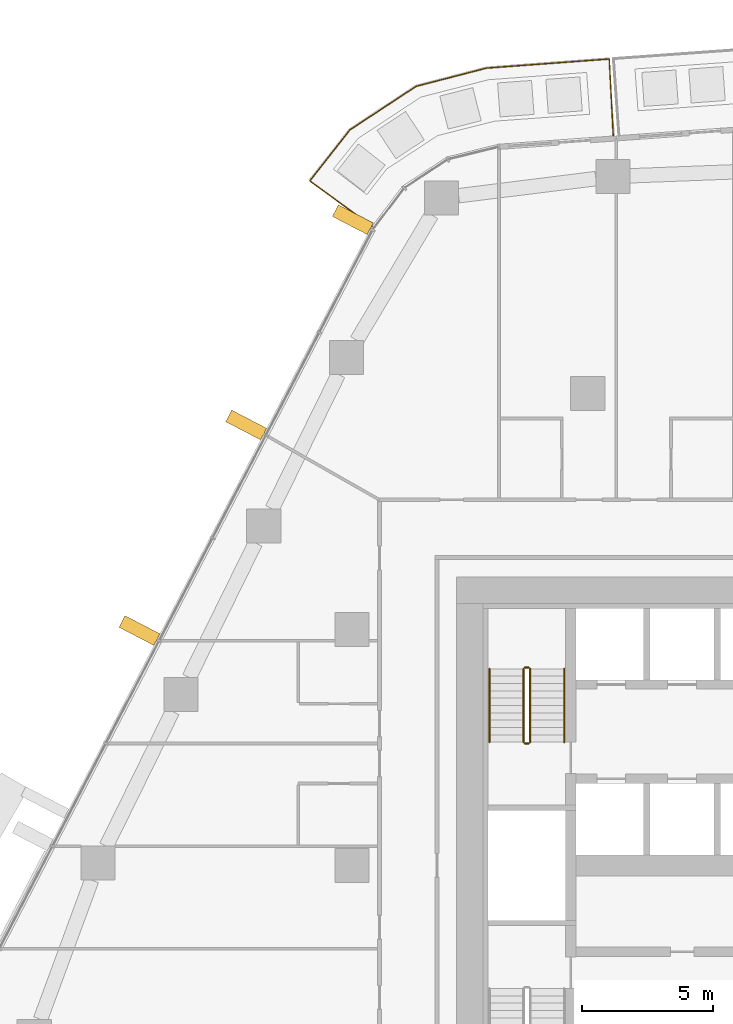
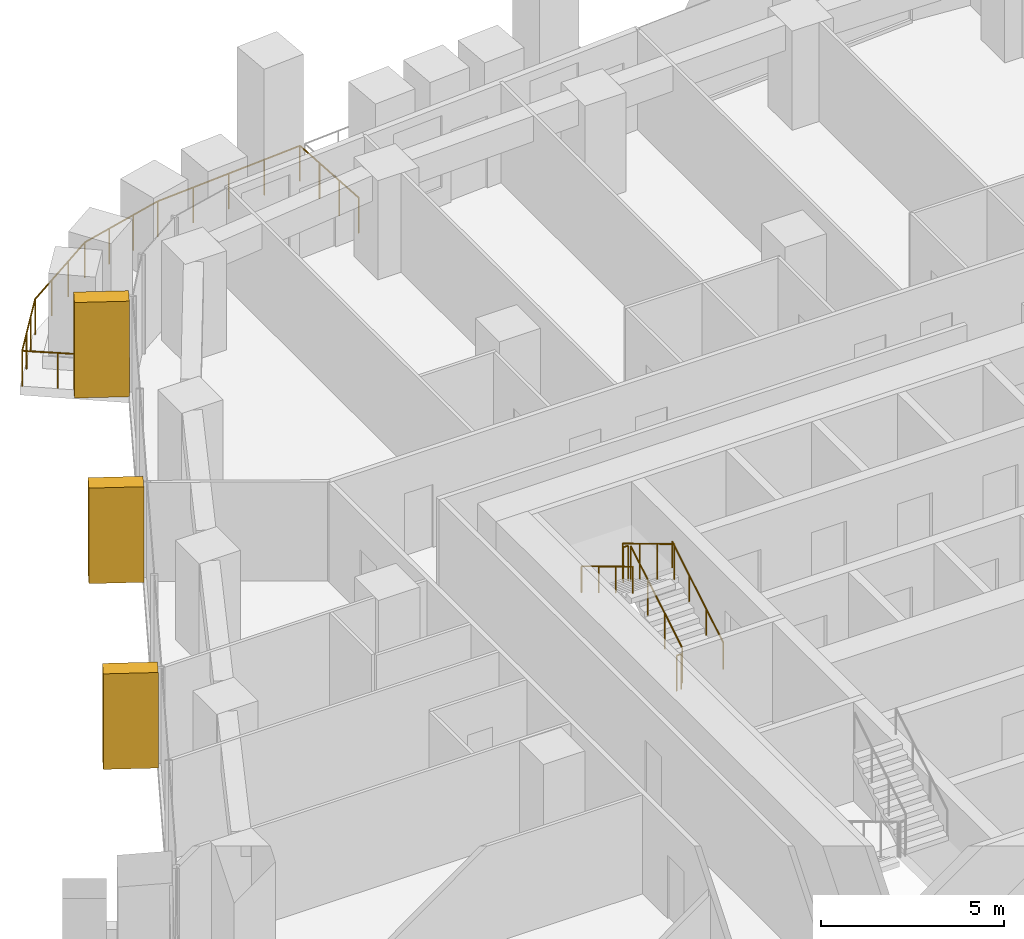
# One storey, part 22 of 24: 7 railings, 3 coverings, 1 element without a shape of its own.
"""IFC4 building model written with IfcOpenShell, lengths in metres."""

from ifc_helpers import new_model, si_unit, direction, frame, origin, origin_2d, place, context, subcontext, project, spatial, rectangle, circle, extrude, material, layer, layer_set, material_profile, profile_set, type_object, element, aggregate, save


model = new_model("IFC4")

# Units and contexts
model_context = context("Model", 3, precision=1e-05, world=origin(), true_north=direction((0.0, 1.0)))
body_context = subcontext(model_context, "Body", "Model", "MODEL_VIEW")
ifc_project = project(units=[si_unit("LENGTHUNIT", "METRE"), si_unit("AREAUNIT", "SQUARE_METRE"), si_unit("VOLUMEUNIT", "CUBIC_METRE"), si_unit("PLANEANGLEUNIT", "RADIAN"), si_unit("MASSUNIT", "GRAM", prefix="KILO")], contexts=[model_context])

# Site, building, storey
site_placement = place(None, origin())
site = spatial("IfcSite", under=ifc_project, at=site_placement, CompositionType="ELEMENT")
building_placement = place(site_placement, origin())
building = spatial("IfcBuilding", under=site, at=building_placement, Name="Dongbaek Canopy Tower", CompositionType="ELEMENT")
storey_placement = place(building_placement, frame((0.0, 0.0, 113.699951171875)))
storey = spatial("IfcBuildingStorey", under=building, at=storey_placement, Name="L24", CompositionType="ELEMENT", Elevation=113.699951171875)

# Railing
ifc_material_1 = material(Name="Stainless steel", Category="steel")
railing_type_1 = type_object("IfcRailingType", Name="Balcony balustrade 1200", PredefinedType="BALUSTRADE", material=ifc_material_1)
railing_1_placement = place(storey_placement, frame((-8.026123046875, 27.83544921875, 0.0)))
element("IfcRailing", 1, at=railing_1_placement, inside=storey, type_object=railing_type_1, Name="Balcony guard L24 7", PredefinedType="BALUSTRADE", context=body_context, shape_type="SweptSolid", body=[
    extrude(circle(Radius=0.02392578125, at=origin_2d()), frame((0.0, 0.0, 1.17578125), z_axis=(-0.051395238135, 0.998678391424, 0.0), x_axis=(-0.998678391424, -0.051395238135, 0.0)), (0.0, 0.0, 1.0), 2.9404296875),
    extrude(circle(Radius=0.02392578125, at=origin_2d()), frame((-0.151123046875, 2.9365234375, 1.17578125), z_axis=(-0.997261085005, -0.073961668002, 0.0), x_axis=(0.073961668002, -0.997261085005, 0.0)), (0.0, 0.0, 1.0), 4.697265625),
    extrude(circle(Radius=0.02392578125, at=origin_2d()), frame((-4.83544921875, 2.589111328125, 1.17578125), z_axis=(-0.96810832339, -0.250531982354, 0.0), x_axis=(0.250531982354, -0.96810832339, 0.0)), (0.0, 0.0, 1.0), 2.77734375),
    extrude(circle(Radius=0.02392578125, at=origin_2d()), frame((-7.524169921875, 1.893310546875, 1.17578125), z_axis=(-0.83547363868, -0.54953052606, 0.0), x_axis=(0.54953052606, -0.83547363868, 0.0)), (0.0, 0.0, 1.0), 3.025146484375),
    extrude(circle(Radius=0.02392578125, at=origin_2d()), frame((-10.051513671875, 0.23095703125, 1.17578125), z_axis=(-0.617895514271, -0.78626021993, 0.0), x_axis=(0.78626021993, -0.617895514271, 0.0)), (0.0, 0.0, 1.0), 2.478271484375),
    extrude(circle(Radius=0.02392578125, at=origin_2d()), frame((-11.582763671875, -1.717529296875, 1.17578125), z_axis=(0.808886844282, -0.587964346834, 0.0), x_axis=(0.587964346834, 0.808886844282, 0.0)), (0.0, 0.0, 1.0), 2.940673828125),
    extrude(circle(Radius=0.02099609375, at=origin_2d()), origin(), (0.0, 0.0, 1.0), 1.15185546875),
    extrude(circle(Radius=0.02099609375, at=origin_2d()), frame((-0.05029296875, 0.978759765625, 0.0)), (0.0, 0.0, 1.0), 1.15185546875),
    extrude(circle(Radius=0.02099609375, at=origin_2d()), frame((-0.100830078125, 1.957763671875, 0.0)), (0.0, 0.0, 1.0), 1.15185546875),
    extrude(circle(Radius=0.02099609375, at=origin_2d()), frame((-0.151123046875, 2.9365234375, 0.0)), (0.0, 0.0, 1.0), 1.15185546875),
    extrude(circle(Radius=0.02099609375, at=origin_2d()), frame((-1.322265625, 2.849609375, 0.0)), (0.0, 0.0, 1.0), 1.15185546875),
    extrude(circle(Radius=0.02099609375, at=origin_2d()), frame((-2.4931640625, 2.7626953125, 0.0)), (0.0, 0.0, 1.0), 1.15185546875),
    extrude(circle(Radius=0.02099609375, at=origin_2d()), frame((-3.664306640625, 2.676025390625, 0.0)), (0.0, 0.0, 1.0), 1.15185546875),
    extrude(circle(Radius=0.02099609375, at=origin_2d()), frame((-4.83544921875, 2.589111328125, 0.0)), (0.0, 0.0, 1.0), 1.15185546875),
    extrude(circle(Radius=0.02099609375, at=origin_2d()), frame((-5.731689453125, 2.357177734375, 0.0)), (0.0, 0.0, 1.0), 1.15185546875),
    extrude(circle(Radius=0.02099609375, at=origin_2d()), frame((-6.6279296875, 2.125244140625, 0.0)), (0.0, 0.0, 1.0), 1.15185546875),
    extrude(circle(Radius=0.02099609375, at=origin_2d()), frame((-7.524169921875, 1.893310546875, 0.0)), (0.0, 0.0, 1.0), 1.15185546875),
    extrude(circle(Radius=0.02099609375, at=origin_2d()), frame((-8.36669921875, 1.339111328125, 0.0)), (0.0, 0.0, 1.0), 1.15185546875),
    extrude(circle(Radius=0.02099609375, at=origin_2d()), frame((-9.208984375, 0.78515625, 0.0)), (0.0, 0.0, 1.0), 1.15185546875),
    extrude(circle(Radius=0.02099609375, at=origin_2d()), frame((-10.051513671875, 0.23095703125, 0.0)), (0.0, 0.0, 1.0), 1.15185546875),
    extrude(circle(Radius=0.02099609375, at=origin_2d()), frame((-10.56201171875, -0.41845703125, 0.0)), (0.0, 0.0, 1.0), 1.15185546875),
    extrude(circle(Radius=0.02099609375, at=origin_2d()), frame((-11.072265625, -1.068115234375, 0.0)), (0.0, 0.0, 1.0), 1.15185546875),
    extrude(circle(Radius=0.02099609375, at=origin_2d()), frame((-11.582763671875, -1.717529296875, 0.0)), (0.0, 0.0, 1.0), 1.15185546875),
    extrude(circle(Radius=0.02099609375, at=origin_2d()), frame((-10.789794921875, -2.2939453125, 0.0)), (0.0, 0.0, 1.0), 1.15185546875),
    extrude(circle(Radius=0.02099609375, at=origin_2d()), frame((-9.9970703125, -2.8701171875, 0.0)), (0.0, 0.0, 1.0), 1.15185546875),
    extrude(circle(Radius=0.02099609375, at=origin_2d()), frame((-9.2041015625, -3.446533203125, 0.0)), (0.0, 0.0, 1.0), 1.15185546875),
])

# Curtain wall, coverings
ifc_material_2 = material(Name="Aluminium 6063-T6 pale anodised", Category="aluminium")
ifc_layer = layer(ifc_material_2, 0.199951171875)
ifc_layer_set = layer_set([ifc_layer], Name="CW-1 unitised tower curtain wall")
curtain_wall_type = type_object("IfcCurtainWallType", Name="CW-1 unitised tower curtain wall", PredefinedType="NOTDEFINED", material=ifc_layer_set)
curtain_wall_placement = place(storey_placement, origin())
curtain_wall = element("IfcCurtainWall", 2, at=curtain_wall_placement, inside=storey, type_object=curtain_wall_type, Name="CW-1 curtain wall F2.1", PredefinedType="NOTDEFINED")
ifc_material_3 = material(Name="Aluminium 6063-T6 pale metal fin", Category="aluminium")
ifc_material_profile = material_profile(ifc_material_3, rectangle(XDim=1.5, YDim=0.5, at=origin_2d()), Name="Fin FN1 500 x 1500 pale metal")
ifc_profile_set = profile_set([ifc_material_profile], Name="Aluminium 6063-T6 pale metal fin")
covering_type = type_object("IfcCoveringType", Name="Fin FN1 500 x 1500 pale metal", PredefinedType="CLADDING", material=ifc_profile_set)
covering_1_placement = place(storey_placement, frame((-17.96630859375, 24.639404296875, 0.1201171875), z_axis=(0.0, 0.0, 1.0), x_axis=(-0.887462609411, 0.460879720641, 0.0)))
covering_1 = element("IfcCovering", 3, at=covering_1_placement, type_object=covering_type, Name="Fin F2.1.1", PredefinedType="CLADDING", context=body_context, shape_type="SweptSolid", body=[
    extrude(rectangle(XDim=1.5, YDim=0.5, at=origin_2d()), origin(), (0.0, 0.0, 1.0), 3.179931640625),
])
covering_2_placement = place(storey_placement, frame((-22.035888671875, 16.80322265625, 0.1201171875), z_axis=(0.0, 0.0, 1.0), x_axis=(-0.887462609411, 0.460879720641, 0.0)))
covering_2 = element("IfcCovering", 4, at=covering_2_placement, type_object=covering_type, Name="Fin F2.1.3", PredefinedType="CLADDING", context=body_context, shape_type="SweptSolid", body=[
    extrude(rectangle(XDim=1.5, YDim=0.5, at=origin_2d()), origin(), (0.0, 0.0, 1.0), 3.179931640625),
])
covering_3_placement = place(storey_placement, frame((-26.109375, 8.95947265625, 0.1201171875), z_axis=(0.0, 0.0, 1.0), x_axis=(-0.887462609411, 0.460879720641, 0.0)))
covering_3 = element("IfcCovering", 5, at=covering_3_placement, type_object=covering_type, Name="Fin F2.1.5", PredefinedType="CLADDING", context=body_context, shape_type="SweptSolid", body=[
    extrude(rectangle(XDim=1.5, YDim=0.5, at=origin_2d()), origin(), (0.0, 0.0, 1.0), 3.179931640625),
])
aggregate(curtain_wall, [covering_1, covering_2, covering_3])

# Railings
ifc_material_4 = material(Name="Stainless steel tube and balusters", Category="steel")
railing_type_2 = type_object("IfcRailingType", Name="Stair guard 1200", PredefinedType="GUARDRAIL", material=ifc_material_4)
railing_2_placement = place(storey_placement, frame((-11.199951171875, 4.699951171875, 0.168212890625)))
element("IfcRailing", 6, at=railing_2_placement, inside=storey, type_object=railing_type_2, Name="L24 ST-C stair guard 1", PredefinedType="GUARDRAIL", context=body_context, shape_type="SweptSolid", body=[
    extrude(circle(Radius=0.02392578125, at=origin_2d()), frame((0.0, 0.0, 1.17578125), z_axis=(0.0, 0.857242210791, 0.514913383045), x_axis=(-1.0, 0.0, 0.0)), (0.0, 0.0, 1.0), 3.266357421875),
    extrude(circle(Radius=0.02099609375, at=origin_2d()), origin(), (0.0, 0.0, 1.0), 1.15185546875),
    extrude(circle(Radius=0.02099609375, at=origin_2d()), frame((0.0, 0.933349609375, 0.560546875)), (0.0, 0.0, 1.0), 1.15185546875),
    extrude(circle(Radius=0.02099609375, at=origin_2d()), frame((0.0, 1.86669921875, 1.121337890625)), (0.0, 0.0, 1.0), 1.15185546875),
    extrude(circle(Radius=0.02099609375, at=origin_2d()), frame((0.0, 2.800048828125, 1.681884765625)), (0.0, 0.0, 1.0), 1.15185546875),
])
railing_3_placement = place(storey_placement, frame((-11.25, 7.550048828125, 1.85009765625)))
element("IfcRailing", 7, at=railing_3_placement, inside=storey, type_object=railing_type_2, Name="L24 ST-C stair guard 2", PredefinedType="GUARDRAIL", context=body_context, shape_type="SweptSolid", body=[
    extrude(circle(Radius=0.02392578125, at=origin_2d()), frame((0.0, 0.0, 1.17578125), z_axis=(-1.0, 0.0, 0.0), x_axis=(0.0, -1.0, 0.0)), (0.0, 0.0, 1.0), 0.14990234375),
    extrude(circle(Radius=0.02099609375, at=origin_2d()), origin(), (0.0, 0.0, 1.0), 1.15185546875),
    extrude(circle(Radius=0.02099609375, at=origin_2d()), frame((-0.14990234375, 0.0, 0.0)), (0.0, 0.0, 1.0), 1.15185546875),
])
railing_4_placement = place(storey_placement, frame((-11.449951171875, 7.5, 2.018310546875)))
element("IfcRailing", 8, at=railing_4_placement, inside=storey, type_object=railing_type_2, Name="L24 ST-C stair guard 3", PredefinedType="GUARDRAIL", context=body_context, shape_type="SweptSolid", body=[
    extrude(circle(Radius=0.02392578125, at=origin_2d()), frame((0.0, 0.0, 1.17578125), z_axis=(0.0, -0.857275202839, 0.514858452973), x_axis=(1.0, 0.0, 0.0)), (0.0, 0.0, 1.0), 3.26611328125),
    extrude(circle(Radius=0.02099609375, at=origin_2d()), origin(), (0.0, 0.0, 1.0), 1.15185546875),
    extrude(circle(Radius=0.02099609375, at=origin_2d()), frame((0.0, -0.933349609375, 0.560546875)), (0.0, 0.0, 1.0), 1.15185546875),
    extrude(circle(Radius=0.02099609375, at=origin_2d()), frame((0.0, -1.86669921875, 1.12109375)), (0.0, 0.0, 1.0), 1.15185546875),
    extrude(circle(Radius=0.02099609375, at=origin_2d()), frame((0.0, -2.800048828125, 1.681640625)), (0.0, 0.0, 1.0), 1.15185546875),
])
railing_5_placement = place(storey_placement, frame((-11.25, 4.64990234375, 0.0)))
element("IfcRailing", 9, at=railing_5_placement, inside=storey, type_object=railing_type_2, Name="L24 ST-C stair guard 4", PredefinedType="GUARDRAIL", context=body_context, shape_type="SweptSolid", body=[
    extrude(circle(Radius=0.02392578125, at=origin_2d()), frame((0.0, 0.0, 1.17578125), z_axis=(-1.0, 0.0, 0.0), x_axis=(0.0, -1.0, 0.0)), (0.0, 0.0, 1.0), 0.14990234375),
    extrude(circle(Radius=0.02099609375, at=origin_2d()), origin(), (0.0, 0.0, 1.0), 1.15185546875),
    extrude(circle(Radius=0.02099609375, at=origin_2d()), frame((-0.14990234375, 0.0, 0.0)), (0.0, 0.0, 1.0), 1.15185546875),
])
ifc_material_5 = material(Name="Stainless steel tube", Category="steel")
railing_type_3 = type_object("IfcRailingType", Name="Stair handrail 900", PredefinedType="HANDRAIL", material=ifc_material_5)
railing_6_placement = place(storey_placement, frame((-9.89990234375, 4.699951171875, 0.168212890625)))
element("IfcRailing", 10, at=railing_6_placement, inside=storey, type_object=railing_type_3, Name="L24 ST-C stair handrail 1", PredefinedType="HANDRAIL", context=body_context, shape_type="SweptSolid", body=[
    extrude(circle(Radius=0.02392578125, at=origin_2d()), frame((0.0, 0.0, 0.8759765625), z_axis=(0.0, 0.857242210791, 0.514913383045), x_axis=(-1.0, 0.0, 0.0)), (0.0, 0.0, 1.0), 3.266357421875),
    extrude(circle(Radius=0.02099609375, at=origin_2d()), origin(), (0.0, 0.0, 1.0), 0.851806640625),
    extrude(circle(Radius=0.02099609375, at=origin_2d()), frame((0.0, 0.933349609375, 0.560546875)), (0.0, 0.0, 1.0), 0.851806640625),
    extrude(circle(Radius=0.02099609375, at=origin_2d()), frame((0.0, 1.86669921875, 1.121337890625)), (0.0, 0.0, 1.0), 0.851806640625),
    extrude(circle(Radius=0.02099609375, at=origin_2d()), frame((0.0, 2.800048828125, 1.681884765625)), (0.0, 0.0, 1.0), 0.851806640625),
])
railing_7_placement = place(storey_placement, frame((-12.75, 7.5, 2.018310546875)))
element("IfcRailing", 11, at=railing_7_placement, inside=storey, type_object=railing_type_3, Name="L24 ST-C stair handrail 2", PredefinedType="HANDRAIL", context=body_context, shape_type="SweptSolid", body=[
    extrude(circle(Radius=0.02392578125, at=origin_2d()), frame((0.0, 0.0, 0.8759765625), z_axis=(0.0, -0.857275202839, 0.514858452973), x_axis=(1.0, 0.0, 0.0)), (0.0, 0.0, 1.0), 3.26611328125),
    extrude(circle(Radius=0.02099609375, at=origin_2d()), origin(), (0.0, 0.0, 1.0), 0.851806640625),
    extrude(circle(Radius=0.02099609375, at=origin_2d()), frame((0.0, -0.933349609375, 0.560546875)), (0.0, 0.0, 1.0), 0.851806640625),
    extrude(circle(Radius=0.02099609375, at=origin_2d()), frame((0.0, -1.86669921875, 1.12109375)), (0.0, 0.0, 1.0), 0.851806640625),
    extrude(circle(Radius=0.02099609375, at=origin_2d()), frame((0.0, -2.800048828125, 1.681640625)), (0.0, 0.0, 1.0), 0.851806640625),
])

save(model, "model.ifc")
